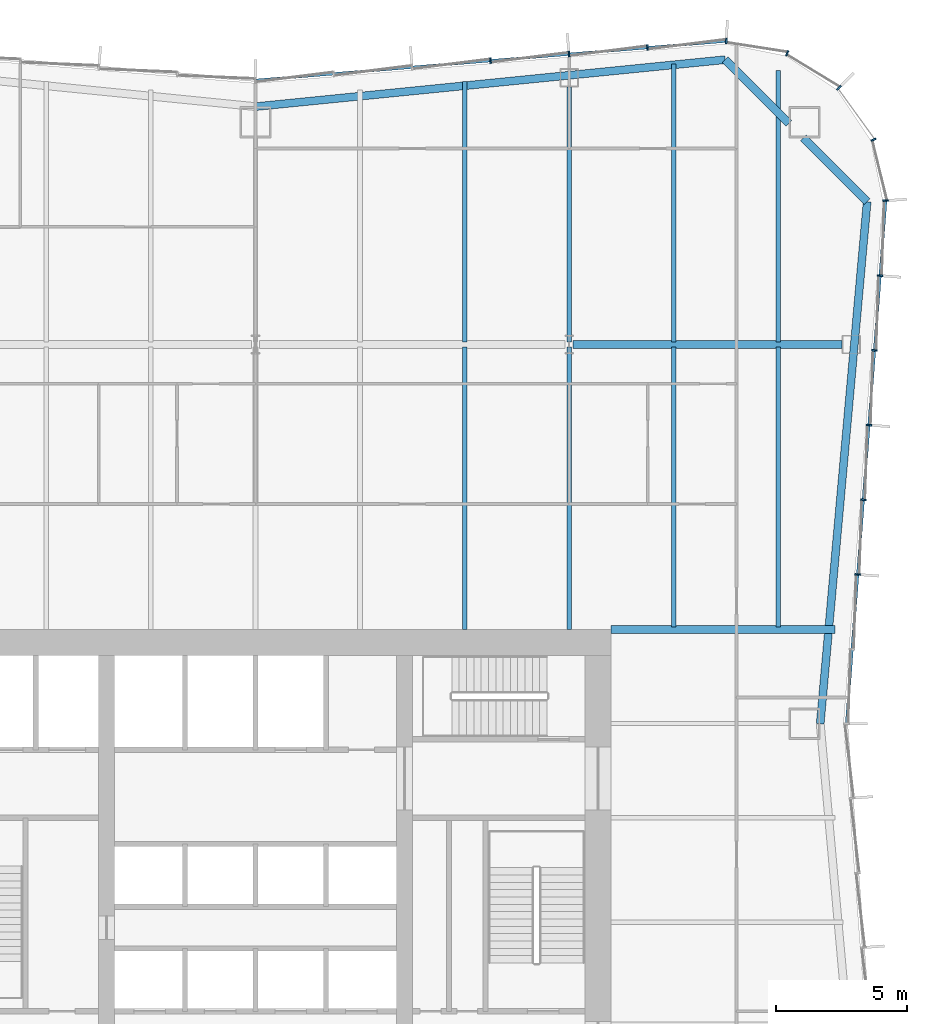
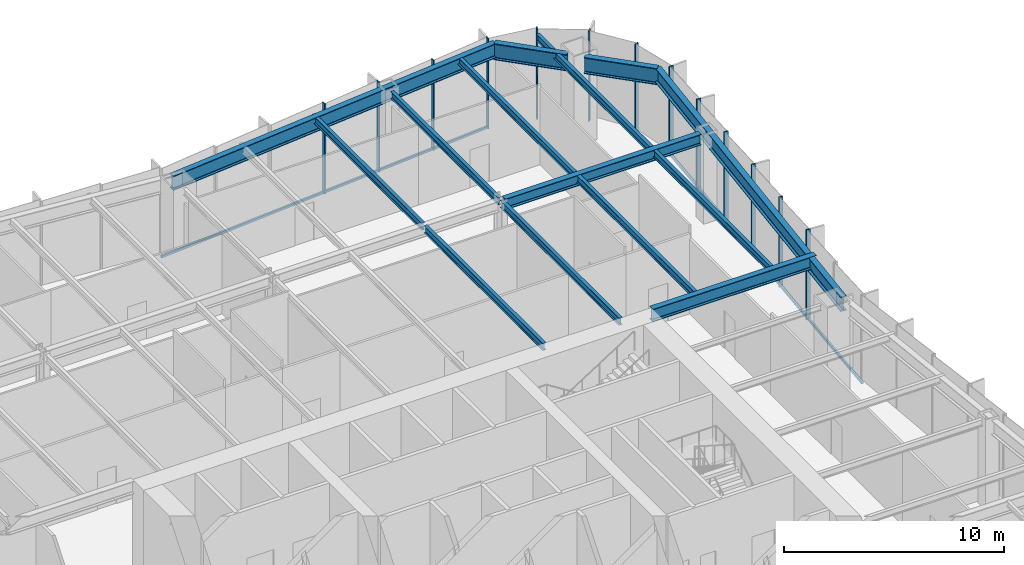
# One storey, part 6 of 15: 15 members, 14 beams, 3 elements without a shape of their own.
"""IFC4 building model written with IfcOpenShell, lengths in metres."""

from ifc_helpers import new_model, si_unit, direction, frame, origin, origin_2d, place, context, subcontext, project, spatial, rectangle, i_section, extrude, material, material_profile, profile_set, type_object, element, aggregate, save


model = new_model("IFC4")

# Units and contexts
model_context = context("Model", 3, precision=1e-05, world=origin(), true_north=direction((0.0, 1.0)))
body_context = subcontext(model_context, "Body", "Model", "MODEL_VIEW")
ifc_project = project(units=[si_unit("LENGTHUNIT", "METRE"), si_unit("AREAUNIT", "SQUARE_METRE"), si_unit("VOLUMEUNIT", "CUBIC_METRE"), si_unit("PLANEANGLEUNIT", "RADIAN"), si_unit("MASSUNIT", "GRAM", prefix="KILO")], contexts=[model_context])

# Site, building, storey
site_placement = place(None, origin())
site = spatial("IfcSite", under=ifc_project, at=site_placement, CompositionType="ELEMENT")
building_placement = place(site_placement, origin())
building = spatial("IfcBuilding", under=site, at=building_placement, Name="Verdant Reach Tower", CompositionType="ELEMENT")
storey_placement = place(building_placement, frame((0.0, 0.0, 121.0)))
storey = spatial("IfcBuildingStorey", under=building, at=storey_placement, Name="L27", CompositionType="ELEMENT", Elevation=121.0)

# Curtain wall, members
ifc_material_1 = material(Name="Anodised aluminium", Category="aluminium")
curtain_wall_type = type_object("IfcCurtainWallType", Name="EN-CW SYSTEM Z2", PredefinedType="NOTDEFINED", material=ifc_material_1)
curtain_wall_1_placement = place(storey_placement, origin())
curtain_wall_1 = element("IfcCurtainWall", 1, at=curtain_wall_1_placement, inside=storey, type_object=curtain_wall_type, Name="Curtain wall east, L27", PredefinedType="NOTDEFINED")
ifc_material_profile_1 = material_profile(ifc_material_1, rectangle(XDim=0.2119140625, YDim=0.06396484375, at=origin_2d()), Name="Mullion 64x212")
ifc_profile_set_1 = profile_set([ifc_material_profile_1], Name="Anodised aluminium")
member_type_1 = type_object("IfcMemberType", Name="EN-MULLION Z2", PredefinedType="MULLION", material=ifc_profile_set_1)
member_1_placement = place(storey_placement, frame((23.0341796875, 40.706298828125, -0.35009765625), z_axis=(0.0, 0.0, 1.0), x_axis=(0.997199309888, -0.074789948245, 0.0)))
member_1 = element("IfcMember", 2, at=member_1_placement, type_object=member_type_1, Name="Mullion east face part 2 3, L27", PredefinedType="MULLION", context=body_context, shape_type="SweptSolid", body=[
    extrude(rectangle(XDim=0.2119140625, YDim=0.06396484375, at=origin_2d()), origin(), (0.0, 0.0, 1.0), 5.0),
])
member_2_placement = place(storey_placement, frame((23.24853515625, 43.5634765625, -0.35009765625), z_axis=(0.0, 0.0, 1.0), x_axis=(0.997199309888, -0.074789948245, 0.0)))
member_2 = element("IfcMember", 3, at=member_2_placement, type_object=member_type_1, Name="Mullion east face part 2 4, L27", PredefinedType="MULLION", context=body_context, shape_type="SweptSolid", body=[
    extrude(rectangle(XDim=0.2119140625, YDim=0.06396484375, at=origin_2d()), origin(), (0.0, 0.0, 1.0), 5.0),
])
member_3_placement = place(storey_placement, frame((23.462890625, 46.420654296875, -0.35009765625), z_axis=(0.0, 0.0, 1.0), x_axis=(0.997199309888, -0.074789948245, 0.0)))
member_3 = element("IfcMember", 4, at=member_3_placement, type_object=member_type_1, Name="Mullion east face part 2 5, L27", PredefinedType="MULLION", context=body_context, shape_type="SweptSolid", body=[
    extrude(rectangle(XDim=0.2119140625, YDim=0.06396484375, at=origin_2d()), origin(), (0.0, 0.0, 1.0), 5.0),
])
member_4_placement = place(storey_placement, frame((23.67724609375, 49.27783203125, -0.35009765625), z_axis=(0.0, 0.0, 1.0), x_axis=(0.997199309888, -0.074789948245, 0.0)))
member_4 = element("IfcMember", 5, at=member_4_placement, type_object=member_type_1, Name="Mullion east face part 2 6, L27", PredefinedType="MULLION", context=body_context, shape_type="SweptSolid", body=[
    extrude(rectangle(XDim=0.2119140625, YDim=0.06396484375, at=origin_2d()), origin(), (0.0, 0.0, 1.0), 5.0),
])
member_5_placement = place(storey_placement, frame((23.891357421875, 52.135009765625, -0.35009765625), z_axis=(0.0, 0.0, 1.0), x_axis=(0.997199309888, -0.074789948245, 0.0)))
member_5 = element("IfcMember", 6, at=member_5_placement, type_object=member_type_1, Name="Mullion east face part 2 7, L27", PredefinedType="MULLION", context=body_context, shape_type="SweptSolid", body=[
    extrude(rectangle(XDim=0.2119140625, YDim=0.06396484375, at=origin_2d()), origin(), (0.0, 0.0, 1.0), 5.0),
])

curtain_wall_2_placement = place(storey_placement, origin())
curtain_wall_2 = element("IfcCurtainWall", 7, at=curtain_wall_2_placement, inside=storey, type_object=curtain_wall_type, Name="Curtain wall north-east corner, L27", PredefinedType="NOTDEFINED")
member_6_placement = place(storey_placement, frame((24.105712890625, 55.00634765625, -0.35009765625), z_axis=(0.0, 0.0, 1.0), x_axis=(0.998155887542, 0.060702752526, 0.0)))
member_6 = element("IfcMember", 8, at=member_6_placement, type_object=member_type_1, Name="Mullion north-east corner 1, L27", PredefinedType="MULLION", context=body_context, shape_type="SweptSolid", body=[
    extrude(rectangle(XDim=0.2119140625, YDim=0.06396484375, at=origin_2d()), origin(), (0.0, 0.0, 1.0), 5.0),
])
member_7_placement = place(storey_placement, frame((23.64111328125, 57.336669921875, -0.35009765625), z_axis=(0.0, 0.0, 1.0), x_axis=(0.923875215753, 0.382693853776, 0.0)))
member_7 = element("IfcMember", 9, at=member_7_placement, type_object=member_type_1, Name="Mullion north-east corner 2, L27", PredefinedType="MULLION", context=body_context, shape_type="SweptSolid", body=[
    extrude(rectangle(XDim=0.2119140625, YDim=0.06396484375, at=origin_2d()), origin(), (0.0, 0.0, 1.0), 5.0),
])
member_8_placement = place(storey_placement, frame((22.317626953125, 59.317626953125, -0.35009765625), z_axis=(0.0, 0.0, 1.0), x_axis=(0.707106781187, 0.707106781187, 0.0)))
member_8 = element("IfcMember", 10, at=member_8_placement, type_object=member_type_1, Name="Mullion north-east corner 3, L27", PredefinedType="MULLION", context=body_context, shape_type="SweptSolid", body=[
    extrude(rectangle(XDim=0.2119140625, YDim=0.06396484375, at=origin_2d()), origin(), (0.0, 0.0, 1.0), 5.0),
])
member_9_placement = place(storey_placement, frame((20.336669921875, 60.64111328125, -0.35009765625), z_axis=(0.0, 0.0, 1.0), x_axis=(0.382693853776, 0.923875215753, 0.0)))
member_9 = element("IfcMember", 11, at=member_9_placement, type_object=member_type_1, Name="Mullion north-east corner 4, L27", PredefinedType="MULLION", context=body_context, shape_type="SweptSolid", body=[
    extrude(rectangle(XDim=0.2119140625, YDim=0.06396484375, at=origin_2d()), origin(), (0.0, 0.0, 1.0), 5.0),
])
aggregate(curtain_wall_2, [member_6, member_7, member_8, member_9])

curtain_wall_3_placement = place(storey_placement, origin())
curtain_wall_3 = element("IfcCurtainWall", 12, at=curtain_wall_3_placement, inside=storey, type_object=curtain_wall_type, Name="Curtain wall north, L27", PredefinedType="NOTDEFINED")
member_10_placement = place(storey_placement, frame((18.006103515625, 61.105712890625, -0.35009765625), z_axis=(0.0, 0.0, 1.0), x_axis=(0.056569187765, 0.998398681387, 0.0)))
member_10 = element("IfcMember", 13, at=member_10_placement, type_object=member_type_1, Name="Mullion north face part 1 1, L27", PredefinedType="MULLION", context=body_context, shape_type="SweptSolid", body=[
    extrude(rectangle(XDim=0.2119140625, YDim=0.06396484375, at=origin_2d()), origin(), (0.0, 0.0, 1.0), 5.0),
])
member_11_placement = place(storey_placement, frame((14.9912109375, 60.855712890625, -0.35009765625), z_axis=(0.0, 0.0, 1.0), x_axis=(-0.083045479859, 0.996545758244, 0.0)))
member_11 = element("IfcMember", 14, at=member_11_placement, type_object=member_type_1, Name="Mullion north face part 1 2, L27", PredefinedType="MULLION", context=body_context, shape_type="SweptSolid", body=[
    extrude(rectangle(XDim=0.2119140625, YDim=0.06396484375, at=origin_2d()), origin(), (0.0, 0.0, 1.0), 5.0),
])
member_12_placement = place(storey_placement, frame((11.9912109375, 60.605712890625, -0.35009765625), z_axis=(0.0, 0.0, 1.0), x_axis=(-0.083045479859, 0.996545758244, 0.0)))
member_12 = element("IfcMember", 15, at=member_12_placement, type_object=member_type_1, Name="Mullion north face part 1 3, L27", PredefinedType="MULLION", context=body_context, shape_type="SweptSolid", body=[
    extrude(rectangle(XDim=0.2119140625, YDim=0.06396484375, at=origin_2d()), origin(), (0.0, 0.0, 1.0), 5.0),
])
member_13_placement = place(storey_placement, frame((8.9912109375, 60.355712890625, -0.35009765625), z_axis=(0.0, 0.0, 1.0), x_axis=(-0.083045479859, 0.996545758244, 0.0)))
member_13 = element("IfcMember", 16, at=member_13_placement, type_object=member_type_1, Name="Mullion north face part 1 4, L27", PredefinedType="MULLION", context=body_context, shape_type="SweptSolid", body=[
    extrude(rectangle(XDim=0.2119140625, YDim=0.06396484375, at=origin_2d()), origin(), (0.0, 0.0, 1.0), 5.0),
])

# Member
ifc_material_profile_2 = material_profile(ifc_material_1, rectangle(XDim=0.10009765625, YDim=0.1240234375, at=origin_2d()), Name="Transom 124x100")
ifc_profile_set_2 = profile_set([ifc_material_profile_2], Name="Anodised aluminium")
member_type_2 = type_object("IfcMemberType", Name="EN-TRANSOM Z2", PredefinedType="USERDEFINED", material=ifc_profile_set_2)
member_14_placement = place(storey_placement, frame((22.6083984375, 35.031982421875, -0.2880859375), z_axis=(0.07476111665, 0.997201471839, 0.0), x_axis=(-0.997201471839, 0.07476111665, 0.0)))
member_14 = element("IfcMember", 17, at=member_14_placement, type_object=member_type_2, Name="Transom east face part 2 1.1, L27", ObjectType="TRANSOM", PredefinedType="USERDEFINED", context=body_context, shape_type="SweptSolid", body=[
    extrude(rectangle(XDim=0.10009765625, YDim=0.1240234375, at=origin_2d()), origin(), (0.0, 0.0, 1.0), 19.99853515625),
])

aggregate(curtain_wall_1, [member_1, member_2, member_3, member_4, member_5, member_14])

member_15_placement = place(storey_placement, frame((17.97412109375, 61.103271484375, -0.2880859375), z_axis=(-0.996548282776, -0.083015179915, 0.0), x_axis=(0.083015179915, -0.996548282776, 0.0)))
member_15 = element("IfcMember", 18, at=member_15_placement, type_object=member_type_2, Name="Transom north face part 1 1.1, L27", ObjectType="TRANSOM", PredefinedType="USERDEFINED", context=body_context, shape_type="SweptSolid", body=[
    extrude(rectangle(XDim=0.10009765625, YDim=0.1240234375, at=origin_2d()), origin(), (0.0, 0.0, 1.0), 18.00439453125),
])

aggregate(curtain_wall_3, [member_10, member_11, member_12, member_13, member_15])

# Beams
ifc_material_2 = material(Name="Steel S355", Category="steel")
ifc_material_profile_3 = material_profile(ifc_material_2, i_section(OverallWidth=0.300048828125, OverallDepth=0.60009765625, WebThickness=0.015380859375, FlangeThickness=0.030029296875, FilletRadius=0.027099609375, at=origin_2d()), Name="HEB 600")
ifc_profile_set_3 = profile_set([ifc_material_profile_3], Name="Steel S355")
beam_type_1 = type_object("IfcBeamType", Name="ST-BEAM-HEB600", PredefinedType="BEAM", material=ifc_profile_set_3)
beam_1_placement = place(storey_placement, frame((12.154052734375, 49.5, 4.570068359375), z_axis=(1.0, 0.0, 0.0), x_axis=(0.0, 1.0, 0.0)))
element("IfcBeam", 19, at=beam_1_placement, inside=storey, type_object=beam_type_1, Name="Row girder, L27", PredefinedType="BEAM", context=body_context, shape_type="SweptSolid", body=[
    extrude(i_section(OverallWidth=0.300048828125, OverallDepth=0.60009765625, WebThickness=0.015380859375, FlangeThickness=0.030029296875, FilletRadius=0.027099609375, at=origin_2d()), origin(), (0.0, 0.0, 1.0), 10.283447265625),
])
ifc_material_profile_4 = material_profile(ifc_material_2, i_section(OverallWidth=0.300048828125, OverallDepth=0.699951171875, WebThickness=0.01708984375, FlangeThickness=0.031982421875, FilletRadius=0.027099609375, at=origin_2d()), Name="HEB 700")
ifc_profile_set_4 = profile_set([ifc_material_profile_4], Name="Steel S355")
beam_type_2 = type_object("IfcBeamType", Name="ST-BEAM-HEB700", PredefinedType="BEAM", material=ifc_profile_set_4)
beam_2_placement = place(storey_placement, frame((13.60009765625, 38.60009765625, 4.52001953125), z_axis=(1.0, 0.0, 0.0), x_axis=(0.0, 1.0, 0.0)))
element("IfcBeam", 20, at=beam_2_placement, inside=storey, type_object=beam_type_2, Name="Trimmer beam, L27", PredefinedType="BEAM", context=body_context, shape_type="SweptSolid", body=[
    extrude(i_section(OverallWidth=0.300048828125, OverallDepth=0.699951171875, WebThickness=0.01708984375, FlangeThickness=0.031982421875, FilletRadius=0.027099609375, at=origin_2d()), origin(), (0.0, 0.0, 1.0), 8.568115234375),
])
ifc_material_profile_5 = material_profile(ifc_material_2, i_section(OverallWidth=0.179931640625, OverallDepth=0.39990234375, WebThickness=0.008544921875, FlangeThickness=0.013427734375, FilletRadius=0.02099609375, at=origin_2d()), Name="IPE 400")
ifc_profile_set_5 = profile_set([ifc_material_profile_5], Name="Steel S355")
beam_type_3 = type_object("IfcBeamType", Name="ST-JOIST-IPE400", PredefinedType="JOIST", material=ifc_profile_set_5)
beam_3_placement = place(storey_placement, frame((8.0, 38.60009765625, 4.669921875), z_axis=(0.0, 1.0, 0.0), x_axis=(-1.0, 0.0, 0.0)))
element("IfcBeam", 21, at=beam_3_placement, inside=storey, type_object=beam_type_3, Name="Floor joist, L27", PredefinedType="JOIST", context=body_context, shape_type="SweptSolid", body=[
    extrude(i_section(OverallWidth=0.179931640625, OverallDepth=0.39990234375, WebThickness=0.008544921875, FlangeThickness=0.013427734375, FilletRadius=0.02099609375, at=origin_2d()), origin(), (0.0, 0.0, 1.0), 10.7998046875),
])
beam_4_placement = place(storey_placement, frame((8.0, 49.60009765625, 4.669921875), z_axis=(0.0, 1.0, 0.0), x_axis=(-1.0, 0.0, 0.0)))
element("IfcBeam", 22, at=beam_4_placement, inside=storey, type_object=beam_type_3, Name="Floor joist, L27", PredefinedType="JOIST", context=body_context, shape_type="SweptSolid", body=[
    extrude(i_section(OverallWidth=0.179931640625, OverallDepth=0.39990234375, WebThickness=0.008544921875, FlangeThickness=0.013427734375, FilletRadius=0.02099609375, at=origin_2d()), origin(), (0.0, 0.0, 1.0), 9.964599609375),
])
beam_5_placement = place(storey_placement, frame((12.0, 38.60009765625, 4.669921875), z_axis=(0.0, 1.0, 0.0), x_axis=(-1.0, 0.0, 0.0)))
element("IfcBeam", 23, at=beam_5_placement, inside=storey, type_object=beam_type_3, Name="Floor joist, L27", PredefinedType="JOIST", context=body_context, shape_type="SweptSolid", body=[
    extrude(i_section(OverallWidth=0.179931640625, OverallDepth=0.39990234375, WebThickness=0.008544921875, FlangeThickness=0.013427734375, FilletRadius=0.02099609375, at=origin_2d()), origin(), (0.0, 0.0, 1.0), 10.7998046875),
])
beam_6_placement = place(storey_placement, frame((12.0, 49.60009765625, 4.669921875), z_axis=(0.0, 1.0, 0.0), x_axis=(-1.0, 0.0, 0.0)))
element("IfcBeam", 24, at=beam_6_placement, inside=storey, type_object=beam_type_3, Name="Floor joist, L27", PredefinedType="JOIST", context=body_context, shape_type="SweptSolid", body=[
    extrude(i_section(OverallWidth=0.179931640625, OverallDepth=0.39990234375, WebThickness=0.008544921875, FlangeThickness=0.013427734375, FilletRadius=0.02099609375, at=origin_2d()), origin(), (0.0, 0.0, 1.0), 9.75),
])
beam_7_placement = place(storey_placement, frame((16.0, 38.699951171875, 4.669921875), z_axis=(0.0, 1.0, 0.0), x_axis=(-1.0, 0.0, 0.0)))
element("IfcBeam", 25, at=beam_7_placement, inside=storey, type_object=beam_type_3, Name="Floor joist, L27", PredefinedType="JOIST", context=body_context, shape_type="SweptSolid", body=[
    extrude(i_section(OverallWidth=0.179931640625, OverallDepth=0.39990234375, WebThickness=0.008544921875, FlangeThickness=0.013427734375, FilletRadius=0.02099609375, at=origin_2d()), origin(), (0.0, 0.0, 1.0), 10.699951171875),
])
beam_8_placement = place(storey_placement, frame((16.0, 49.60009765625, 4.669921875), z_axis=(0.0, 1.0, 0.0), x_axis=(-1.0, 0.0, 0.0)))
element("IfcBeam", 26, at=beam_8_placement, inside=storey, type_object=beam_type_3, Name="Floor joist, L27", PredefinedType="JOIST", context=body_context, shape_type="SweptSolid", body=[
    extrude(i_section(OverallWidth=0.179931640625, OverallDepth=0.39990234375, WebThickness=0.008544921875, FlangeThickness=0.013427734375, FilletRadius=0.02099609375, at=origin_2d()), origin(), (0.0, 0.0, 1.0), 10.631103515625),
])
beam_9_placement = place(storey_placement, frame((20.0, 38.699951171875, 4.669921875), z_axis=(0.0, 1.0, 0.0), x_axis=(-1.0, 0.0, 0.0)))
element("IfcBeam", 27, at=beam_9_placement, inside=storey, type_object=beam_type_3, Name="Floor joist, L27", PredefinedType="JOIST", context=body_context, shape_type="SweptSolid", body=[
    extrude(i_section(OverallWidth=0.179931640625, OverallDepth=0.39990234375, WebThickness=0.008544921875, FlangeThickness=0.013427734375, FilletRadius=0.02099609375, at=origin_2d()), origin(), (0.0, 0.0, 1.0), 10.699951171875),
])
beam_10_placement = place(storey_placement, frame((20.0, 49.60009765625, 4.669921875), z_axis=(0.0, 1.0, 0.0), x_axis=(-1.0, 0.0, 0.0)))
element("IfcBeam", 28, at=beam_10_placement, inside=storey, type_object=beam_type_3, Name="Floor joist, L27", PredefinedType="JOIST", context=body_context, shape_type="SweptSolid", body=[
    extrude(i_section(OverallWidth=0.179931640625, OverallDepth=0.39990234375, WebThickness=0.008544921875, FlangeThickness=0.013427734375, FilletRadius=0.02099609375, at=origin_2d()), origin(), (0.0, 0.0, 1.0), 10.390380859375),
])
ifc_material_profile_6 = material_profile(ifc_material_2, i_section(OverallWidth=0.300048828125, OverallDepth=0.800048828125, WebThickness=0.017578125, FlangeThickness=0.032958984375, FilletRadius=0.030029296875, at=origin_2d()), Name="HEB 800")
ifc_profile_set_6 = profile_set([ifc_material_profile_6], Name="Steel S355")
beam_type_4 = type_object("IfcBeamType", Name="ST-SPANDREL-HEB800", PredefinedType="SPANDREL", material=ifc_profile_set_6)
beam_11_placement = place(storey_placement, frame((0.0, 58.60009765625, 4.469970703125), z_axis=(0.995046289869, 0.099412680371, 0.0), x_axis=(-0.099412680371, 0.995046289869, 0.0)))
element("IfcBeam", 29, at=beam_11_placement, inside=storey, type_object=beam_type_4, Name="Edge beam, L27", PredefinedType="SPANDREL", context=body_context, shape_type="SweptSolid", body=[
    extrude(i_section(OverallWidth=0.300048828125, OverallDepth=0.800048828125, WebThickness=0.017578125, FlangeThickness=0.032958984375, FilletRadius=0.030029296875, at=origin_2d()), origin(), (0.0, 0.0, 1.0), 18.05517578125),
])
beam_12_placement = place(storey_placement, frame((23.3955078125, 54.963134765625, 4.469970703125), z_axis=(-0.089574749266, -0.995980102358, 0.0), x_axis=(0.995980102358, -0.089574749266, 0.0)))
element("IfcBeam", 30, at=beam_12_placement, inside=storey, type_object=beam_type_4, Name="Edge beam, L27", PredefinedType="SPANDREL", context=body_context, shape_type="SweptSolid", body=[
    extrude(i_section(OverallWidth=0.300048828125, OverallDepth=0.800048828125, WebThickness=0.017578125, FlangeThickness=0.032958984375, FilletRadius=0.030029296875, at=origin_2d()), origin(), (0.0, 0.0, 1.0), 20.043701171875),
])
ifc_material_profile_7 = material_profile(ifc_material_2, i_section(OverallWidth=0.302001953125, OverallDepth=0.909912109375, WebThickness=0.02099609375, FlangeThickness=0.0400390625, FilletRadius=0.030029296875, at=origin_2d()), Name="HEM 900")
ifc_profile_set_7 = profile_set([ifc_material_profile_7], Name="Steel S355")
beam_type_5 = type_object("IfcBeamType", Name="ST-SPANDREL-HEM900", PredefinedType="SPANDREL", material=ifc_profile_set_7)
beam_13_placement = place(storey_placement, frame((17.9658203125, 60.39501953125, 4.4150390625), z_axis=(0.70696494852, -0.70724858541, 0.0), x_axis=(0.70724858541, 0.70696494852, 0.0)))
element("IfcBeam", 31, at=beam_13_placement, inside=storey, type_object=beam_type_5, Name="Edge beam, L27", PredefinedType="SPANDREL", context=body_context, shape_type="SweptSolid", body=[
    extrude(i_section(OverallWidth=0.302001953125, OverallDepth=0.909912109375, WebThickness=0.02099609375, FlangeThickness=0.0400390625, FilletRadius=0.030029296875, at=origin_2d()), origin(), (0.0, 0.0, 1.0), 3.443115234375),
])
beam_14_placement = place(storey_placement, frame((20.959716796875, 57.39990234375, 4.4150390625), z_axis=(0.706965048022, -0.707248485948, 0.0), x_axis=(0.707248485948, 0.706965048022, 0.0)))
element("IfcBeam", 32, at=beam_14_placement, inside=storey, type_object=beam_type_5, Name="Edge beam, L27", PredefinedType="SPANDREL", context=body_context, shape_type="SweptSolid", body=[
    extrude(i_section(OverallWidth=0.302001953125, OverallDepth=0.909912109375, WebThickness=0.02099609375, FlangeThickness=0.0400390625, FilletRadius=0.030029296875, at=origin_2d()), origin(), (0.0, 0.0, 1.0), 3.4453125),
])

save(model, "model.ifc")
